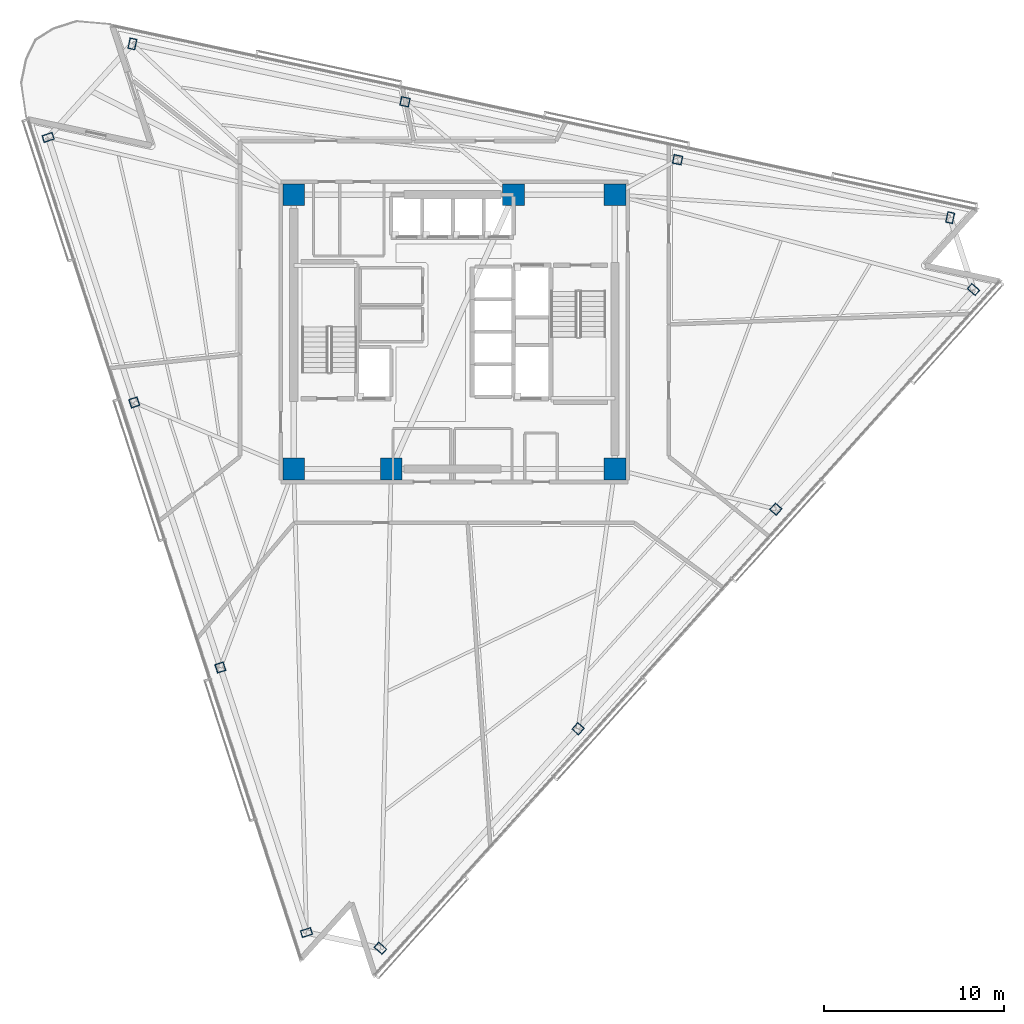
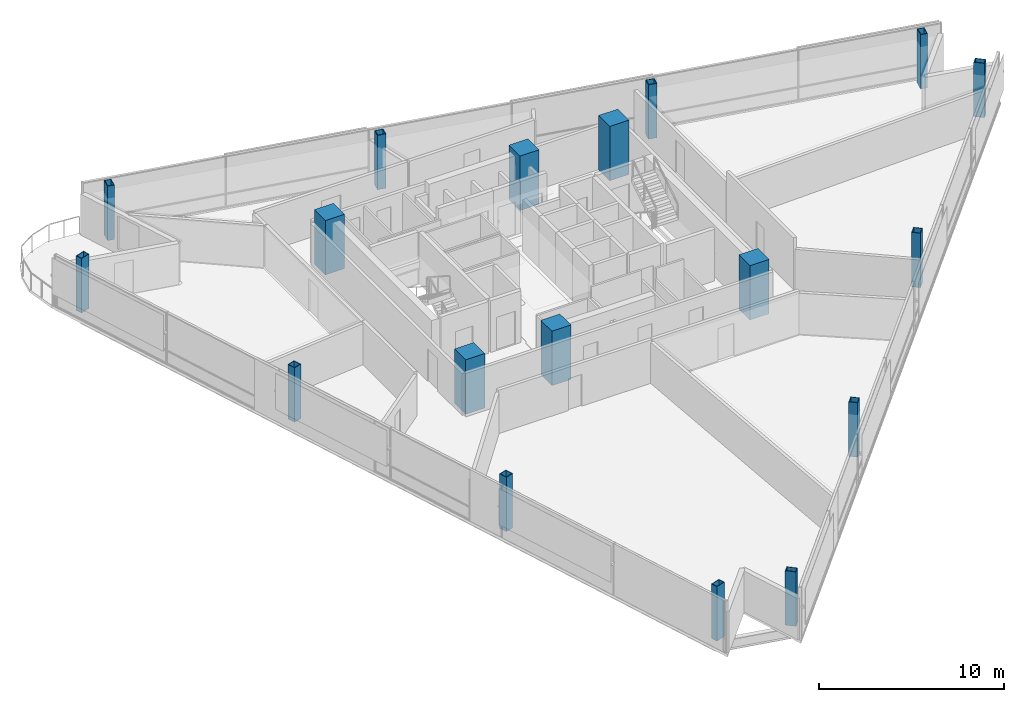
# One storey, part 1 of 17: 18 columns.
"""IFC4 building model written with IfcOpenShell, lengths in metres."""

from ifc_helpers import new_model, si_unit, direction, frame, origin, origin_2d, place, context, subcontext, project, spatial, rectangle, hollow_rectangle, extrude, material, material_profile, profile_set, type_object, element, save


model = new_model("IFC4")

# Units and contexts
model_context = context("Model", 3, precision=1e-05, world=origin(), true_north=direction((0.0, 1.0)))
body_context = subcontext(model_context, "Body", "Model", "MODEL_VIEW")
ifc_project = project(units=[si_unit("LENGTHUNIT", "METRE"), si_unit("AREAUNIT", "SQUARE_METRE"), si_unit("VOLUMEUNIT", "CUBIC_METRE"), si_unit("PLANEANGLEUNIT", "RADIAN"), si_unit("MASSUNIT", "GRAM", prefix="KILO")], contexts=[model_context])

# Site, building, storey
site_placement = place(None, origin())
site = spatial("IfcSite", under=ifc_project, at=site_placement, CompositionType="ELEMENT")
building_placement = place(site_placement, origin())
building = spatial("IfcBuilding", under=site, at=building_placement, Name="Tharavind Bronze Gate", CompositionType="ELEMENT")
storey_placement = place(building_placement, frame((0.0, 0.0, 204.050048828125)))
storey = spatial("IfcBuildingStorey", under=building, at=storey_placement, Name="L52", CompositionType="ELEMENT", Elevation=204.050048828125)

# Columns
ifc_material_1 = material(Name="Steel S460", Category="steel")
ifc_material_profile_1 = material_profile(ifc_material_1, hollow_rectangle(XDim=0.39990234375, YDim=0.60009765625, WallThickness=0.030029296875, at=origin_2d()), Name="RHS600X400X30")
ifc_profile_set_1 = profile_set([ifc_material_profile_1], Name="Steel S460")
column_type_1 = type_object("IfcColumnType", Name="CORNER NOTCH COLUMN RHS600X400", PredefinedType="COLUMN", material=ifc_profile_set_1)
for number, where, z_axis, x_axis, name in (
    (1, (-22.515380859375, 10.77685546875, 0.0), (0.0, 0.0, 1.0), (-0.309016994375, 0.951056516295, 0.0), "L52 perimeter column S1C1"),
    (2, (-8.197021484375, -33.29150390625, 0.0), (0.0, 0.0, 1.0), (-0.309016994375, 0.951056516295, 0.0), "L52 perimeter column S1C4"),
    (3, (-4.100341796875, -34.162353515625, 0.0), (0.0, 0.0, 1.0), (0.669130606359, 0.743144825477, 0.0), "L52 perimeter column S2C1"),
    (4, (28.772705078125, 2.34716796875, 0.0), (0.0, 0.0, 1.0), (0.669130606359, 0.743144825477, 0.0), "L52 perimeter column S2C4"),
    (5, (27.478515625, 6.330078125, 0.0), (0.0, 0.0, 1.0), (-0.978147600734, 0.207911690818, 0.0), "L52 perimeter column S3C1"),
    (6, (-17.844970703125, 15.9638671875, 0.0), (0.0, 0.0, 1.0), (-0.978147600734, 0.207911690818, 0.0), "L52 perimeter column S3C4"),
):
    element("IfcColumn", number, at=place(storey_placement, frame(where, z_axis=z_axis, x_axis=x_axis)), inside=storey, type_object=column_type_1, Name=name, PredefinedType="COLUMN", context=body_context, shape_type="SweptSolid", body=[
        extrude(hollow_rectangle(XDim=0.39990234375, YDim=0.60009765625, WallThickness=0.030029296875, at=origin_2d()), origin(), (0.0, 0.0, 1.0), 3.599853515625),
    ])
ifc_material_2 = material(Name="Concrete C60/75", Category="concrete")
ifc_material_profile_2 = material_profile(ifc_material_2, rectangle(XDim=1.199951171875, YDim=1.199951171875, at=origin_2d()), Name="RCCOL1200")
ifc_profile_set_2 = profile_set([ifc_material_profile_2], Name="Concrete C60/75")
column_type_2 = type_object("IfcColumnType", Name="MEGA CORE COLUMN 1200", PredefinedType="COLUMN", material=ifc_profile_set_2)
for number, where, z_axis, x_axis, name in (
    (7, (-8.89990234375, -7.60009765625, 0.0), (0.0, 0.0, 1.0), (1.0, 0.0, 0.0), "L52 core mega column MC1"),
    (8, (-3.5, -7.60009765625, 0.0), (0.0, 0.0, 1.0), (1.0, 0.0, 0.0), "L52 core mega column MC2"),
    (9, (8.89990234375, -7.60009765625, 0.0), (0.0, 0.0, 1.0), (1.0, 0.0, 0.0), "L52 core mega column MC3"),
    (10, (8.89990234375, 7.60009765625, 0.0), (0.0, 0.0, 1.0), (1.0, 0.0, 0.0), "L52 core mega column MC4"),
    (11, (3.280029296875, 7.60009765625, 0.0), (0.0, 0.0, 1.0), (1.0, 0.0, 0.0), "L52 core mega column MC5"),
    (12, (-8.89990234375, 7.60009765625, 0.0), (0.0, 0.0, 1.0), (1.0, 0.0, 0.0), "L52 core mega column MC6"),
):
    element("IfcColumn", number, at=place(storey_placement, frame(where, z_axis=z_axis, x_axis=x_axis)), inside=storey, type_object=column_type_2, Name=name, PredefinedType="COLUMN", context=body_context, shape_type="SweptSolid", body=[
        extrude(rectangle(XDim=1.199951171875, YDim=1.199951171875, at=origin_2d()), origin(), (0.0, 0.0, 1.0), 3.599853515625),
    ])
ifc_material_profile_3 = material_profile(ifc_material_1, hollow_rectangle(XDim=0.5, YDim=0.5, WallThickness=0.031982421875, at=origin_2d()), Name="SHS500X32")
ifc_profile_set_3 = profile_set([ifc_material_profile_3], Name="Steel S460")
column_type_3 = type_object("IfcColumnType", Name="PERIMETER BOX COLUMN SHS500", PredefinedType="COLUMN", material=ifc_profile_set_3)
for number, where, z_axis, x_axis, name in (
    (13, (-17.74267578125, -3.91259765625, 0.0), (0.0, 0.0, 1.0), (-0.309016994375, 0.951056516295, 0.0), "L52 perimeter column S1C2"),
    (14, (-12.9697265625, -18.60205078125, 0.0), (0.0, 0.0, 1.0), (-0.309016994375, 0.951056516295, 0.0), "L52 perimeter column S1C3"),
    (15, (6.857421875, -21.992431640625, 0.0), (0.0, 0.0, 1.0), (0.669130606359, 0.743144825477, 0.0), "L52 perimeter column S2C2"),
    (16, (17.815185546875, -9.82275390625, 0.0), (0.0, 0.0, 1.0), (0.669130606359, 0.743144825477, 0.0), "L52 perimeter column S2C3"),
    (17, (12.370849609375, 9.54150390625, 0.0), (0.0, 0.0, 1.0), (-0.978147600734, 0.207911690818, 0.0), "L52 perimeter column S3C2"),
    (18, (-2.737060546875, 12.752685546875, 0.0), (0.0, 0.0, 1.0), (-0.978147600734, 0.207911690818, 0.0), "L52 perimeter column S3C3"),
):
    element("IfcColumn", number, at=place(storey_placement, frame(where, z_axis=z_axis, x_axis=x_axis)), inside=storey, type_object=column_type_3, Name=name, PredefinedType="COLUMN", context=body_context, shape_type="SweptSolid", body=[
        extrude(hollow_rectangle(XDim=0.5, YDim=0.5, WallThickness=0.031982421875, at=origin_2d()), origin(), (0.0, 0.0, 1.0), 3.599853515625),
    ])

save(model, "model.ifc")
